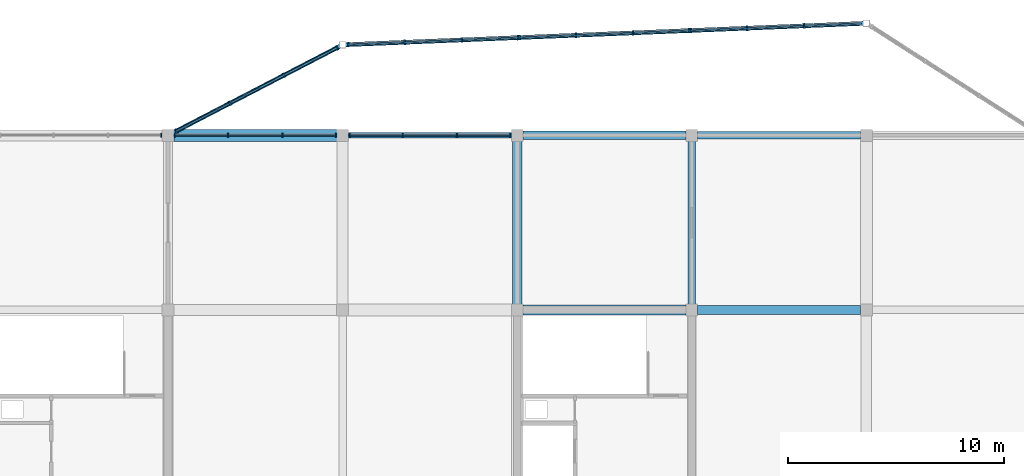
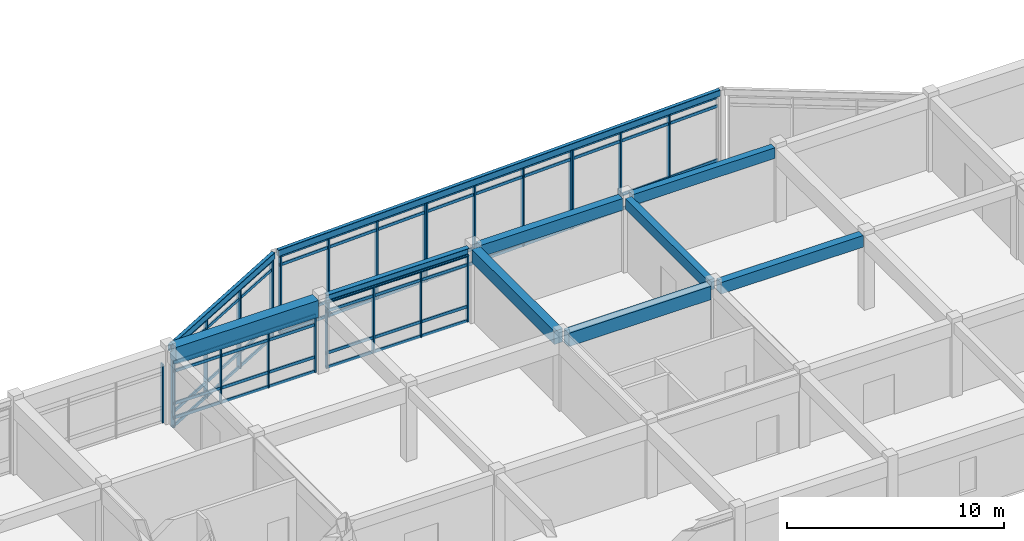
# One storey, part 11 of 40: 48 members, 10 beams, 7 elements without a shape of their own.
"""IFC4 building model written with IfcOpenShell, lengths in metres."""

import ifcopenshell
import ifcopenshell.guid

model = None  # the IFC model being written
_history = None  # IfcOwnerHistory: only IFC2X3 demands one
_inside = {}  # id of a spatial element -> (the spatial element, [elements in it])
_under = {}  # id of a project, library or spatial element -> (it, [spatial elements below it])
_declared = {}  # id of a project -> (the project, [libraries it declares])
_typed = {}  # id of a type object -> (the type object, [elements of that type])
_made_of = {}  # id of a material, layer set ... -> (it, [elements and type objects made of it])


def new_model(schema):
    """Start an empty IFC model of exactly this schema.

    Asked for "IFC4X3", IfcOpenShell would pick the latest addendum, in which some entities
    have other attributes; the version numbers below select the first issue.
    IFC2X3 requires an IfcOwnerHistory on every rooted entity: one is made here for all.
    """
    global model, _history
    if schema == "IFC4X3":
        model = ifcopenshell.file(schema_version=(4, 3, 0, 0))
    else:
        model = ifcopenshell.file(schema=schema)
    _inside.clear()
    _under.clear()
    _declared.clear()
    _typed.clear()
    _made_of.clear()
    _history = None
    if model.schema == "IFC2X3":
        org = make("IfcOrganization", Name="unknown")
        user = make(
            "IfcPersonAndOrganization",
            ThePerson=make("IfcPerson", FamilyName="unknown"),
            TheOrganization=org,
        )
        app = make(
            "IfcApplication",
            ApplicationDeveloper=org,
            Version="unknown",
            ApplicationFullName="unknown",
            ApplicationIdentifier="unknown",
        )
        _history = make(
            "IfcOwnerHistory",
            OwningUser=user,
            OwningApplication=app,
            ChangeAction="ADDED",
            CreationDate=0,
        )
    return model


def make(cls, **values):
    """One entity of the class cls with the attributes given. An attribute that is None is left unset."""
    return model.create_entity(
        cls, **{name: value for name, value in values.items() if value is not None}
    )


def rooted(cls, **values):
    """An entity with a GlobalId (a new one), such as an element, a storey or a relation."""
    return make(cls, GlobalId=ifcopenshell.guid.new(), OwnerHistory=_history, **values)


def si_unit(unit_type, name, prefix=None):
    """IfcSIUnit, for example si_unit("LENGTHUNIT", "METRE", prefix="MILLI")."""
    return make("IfcSIUnit", UnitType=unit_type, Prefix=prefix, Name=name)


def assignment(units):
    """IfcUnitAssignment: the units of a project."""
    return None if units is None else make("IfcUnitAssignment", Units=units)


def point(xyz):
    """IfcCartesianPoint."""
    return None if xyz is None else make("IfcCartesianPoint", Coordinates=xyz)


def direction(xyz):
    """IfcDirection."""
    return None if xyz is None else make("IfcDirection", DirectionRatios=xyz)


def frame(location, z_axis=None, x_axis=None):
    """IfcAxis2Placement3D, a coordinate frame: its origin and axes. An axis left out is left unset."""
    return make(
        "IfcAxis2Placement3D",
        Location=point(location),
        Axis=direction(z_axis),
        RefDirection=direction(x_axis),
    )


def frame_2d(location, x_axis=None):
    """IfcAxis2Placement2D, a coordinate frame in the plane: its origin and x axis."""
    return make(
        "IfcAxis2Placement2D", Location=point(location), RefDirection=direction(x_axis)
    )


def origin():
    """The frame at (0, 0, 0) with its axes left unset."""
    return frame((0.0, 0.0, 0.0))


def origin_2d():
    """The frame at (0, 0) in the plane with its x axis left unset."""
    return frame_2d((0.0, 0.0))


def place(relative_to, where):
    """IfcLocalPlacement: puts the frame where relative to a parent placement (None: the world)."""
    return make(
        "IfcLocalPlacement", PlacementRelTo=relative_to, RelativePlacement=where
    )


def context(
    kind, dimensions, precision=None, world=None, true_north=None, identifier=None
):
    """IfcGeometricRepresentationContext, for example the 3D "Model" context."""
    return make(
        "IfcGeometricRepresentationContext",
        ContextIdentifier=identifier,
        ContextType=kind,
        CoordinateSpaceDimension=dimensions,
        Precision=precision,
        WorldCoordinateSystem=world,
        TrueNorth=true_north,
    )


def subcontext(parent, identifier, kind, view, scale=None):
    """IfcGeometricRepresentationSubContext, for example "Body" below "Model"."""
    return make(
        "IfcGeometricRepresentationSubContext",
        ContextIdentifier=identifier,
        ContextType=kind,
        ParentContext=parent,
        TargetScale=scale,
        TargetView=view,
    )


def project(units=None, contexts=None):
    """IfcProject with its units and contexts."""
    return rooted(
        "IfcProject",
        Name="project",
        RepresentationContexts=contexts,
        UnitsInContext=assignment(units),
    )


def spatial(cls, under=None, at=None, **own):
    """A site, building, storey or space (cls), placed at a placement, below another one or the project."""
    s = rooted(cls, ObjectPlacement=at, **own)
    if under is not None:
        _under.setdefault(under.id(), (under, []))[1].append(s)
    return s


def profile(cls, at=None, kind="AREA", **sizes):
    """A parametric profile (cls). Its sizes go by their IFC names, for example OverallWidth=200.0."""
    return make(cls, ProfileType=kind, Position=at, **sizes)


def rectangle(**sizes):
    """IfcRectangleProfileDef."""
    return profile("IfcRectangleProfileDef", **sizes)


def hollow_rectangle(**sizes):
    """IfcRectangleHollowProfileDef."""
    return profile("IfcRectangleHollowProfileDef", **sizes)


def i_section(**sizes):
    """IfcIShapeProfileDef."""
    return profile("IfcIShapeProfileDef", **sizes)


def extrude(swept, where, along, depth):
    """IfcExtrudedAreaSolid: the profile swept, set in the frame where, extruded along a direction by depth."""
    return make(
        "IfcExtrudedAreaSolid",
        SweptArea=swept,
        Position=where,
        ExtrudedDirection=direction(along),
        Depth=depth,
    )


def shape(context_of_items, identifier, shape_type, items):
    """IfcShapeRepresentation: the items that make up one representation, for example the "Body"."""
    return make(
        "IfcShapeRepresentation",
        ContextOfItems=context_of_items,
        RepresentationIdentifier=identifier,
        RepresentationType=shape_type,
        Items=items,
    )


def material(Name=None, Category=None):
    """IfcMaterial."""
    return make("IfcMaterial", Name=Name, Category=Category)


def layer(
    of_material, thickness, ventilated=None, Name=None, Category=None, Priority=None
):
    """IfcMaterialLayer: one layer of a wall or slab, of a material (None: an air gap)."""
    return make(
        "IfcMaterialLayer",
        Material=of_material,
        LayerThickness=thickness,
        IsVentilated=ventilated,
        Name=Name,
        Category=Category,
        Priority=Priority,
    )


def layer_set(layers, Name=None):
    """IfcMaterialLayerSet."""
    return make("IfcMaterialLayerSet", MaterialLayers=layers, LayerSetName=Name)


def material_profile(
    of_material, cross_section, Name=None, Category=None, Priority=None
):
    """IfcMaterialProfile: a cross section and its material."""
    return make(
        "IfcMaterialProfile",
        Name=Name,
        Material=of_material,
        Profile=cross_section,
        Priority=Priority,
        Category=Category,
    )


def profile_set(profiles, Name=None, composite=None):
    """IfcMaterialProfileSet."""
    return make(
        "IfcMaterialProfileSet",
        Name=Name,
        MaterialProfiles=profiles,
        CompositeProfile=composite,
    )


def made_of(thing, what):
    """Note that an element or type object is made of a material, layer set ...; save() writes the relation."""
    if what is not None:
        _made_of.setdefault(what.id(), (what, []))[1].append(thing)
    return thing


def type_object(cls, material=None, **own):
    """A type object (cls), such as IfcWallType, which elements share."""
    return made_of(rooted(cls, **own), material)


def element(
    cls,
    number,
    at=None,
    inside=None,
    cuts=None,
    type_object=None,
    material=None,
    context=None,
    identifier="Body",
    shape_type=None,
    held_by="IfcProductDefinitionShape",
    body=None,
    shapes=None,
    **own,
):
    """One element of the class cls, such as IfcWall. Its Tag is "e" and its number.

    at: its placement. inside: the storey or other place that contains it. cuts: it is an
    opening in that element (IfcRelVoidsElement). A single representation is given by context,
    identifier, shape_type and body (its items); several are given by shapes. held_by: the class
    of the entity that holds the representations. save() writes the other relations.
    """
    e = rooted(cls, Tag="e%d" % number, ObjectPlacement=at, **own)
    if body is not None:
        shapes = [shape(context, identifier, shape_type, body)]
    if shapes is not None:
        e.Representation = make(held_by, Representations=shapes)
    if inside is not None:
        _inside.setdefault(inside.id(), (inside, []))[1].append(e)
    if cuts is not None:
        rooted(
            "IfcRelVoidsElement", RelatingBuildingElement=cuts, RelatedOpeningElement=e
        )
    if type_object is not None:
        _typed.setdefault(type_object.id(), (type_object, []))[1].append(e)
    return made_of(e, material)


def aggregate(whole, parts):
    """IfcRelAggregates: a whole, such as a stair, and the parts it consists of."""
    return rooted("IfcRelAggregates", RelatingObject=whole, RelatedObjects=parts)


def save(model, path):
    """Write the relations noted so far, then the file.

    IfcRelAggregates (storeys below a building ...), IfcRelContainedInSpatialStructure (elements
    in a storey), IfcRelDefinesByType, IfcRelAssociatesMaterial and IfcRelDeclares: one each for
    every whole, place, type object, material and project.
    """
    for whole, parts in _under.values():
        aggregate(whole, parts)
    for where, things in _inside.values():
        rooted(
            "IfcRelContainedInSpatialStructure",
            RelatedElements=things,
            RelatingStructure=where,
        )
    for kind, things in _typed.values():
        rooted("IfcRelDefinesByType", RelatedObjects=things, RelatingType=kind)
    for what, things in _made_of.values():
        rooted("IfcRelAssociatesMaterial", RelatedObjects=things, RelatingMaterial=what)
    for by, libraries in _declared.values():
        rooted("IfcRelDeclares", RelatingContext=by, RelatedDefinitions=libraries)
    model.write(path)


model = new_model("IFC4")

# Units and contexts
model_context = context("Model", 3, precision=1e-05, world=origin(), true_north=direction((0.0, 1.0)))
body_context = subcontext(model_context, "Body", "Model", "MODEL_VIEW")
ifc_project = project(units=[si_unit("LENGTHUNIT", "METRE"), si_unit("AREAUNIT", "SQUARE_METRE"), si_unit("VOLUMEUNIT", "CUBIC_METRE"), si_unit("PLANEANGLEUNIT", "RADIAN"), si_unit("MASSUNIT", "GRAM", prefix="KILO")], contexts=[model_context])

# Site, building, storey
site_placement = place(None, origin())
site = spatial("IfcSite", under=ifc_project, at=site_placement, CompositionType="ELEMENT")
building_placement = place(site_placement, origin())
building = spatial("IfcBuilding", under=site, at=building_placement, Name="Vaudrelin Polytechnic", CompositionType="ELEMENT")
storey_placement = place(building_placement, frame((0.0, 0.0, 22.949951171875)))
storey = spatial("IfcBuildingStorey", under=building, at=storey_placement, Name="L05", CompositionType="ELEMENT", Elevation=22.949951171875)

# Beams
ifc_material_1 = material(Name="Concrete 40 MPa", Category="concrete")
ifc_material_profile_1 = material_profile(ifc_material_1, rectangle(XDim=0.35009765625, YDim=0.60009765625, at=origin_2d()), Name="RC350x600")
ifc_profile_set_1 = profile_set([ifc_material_profile_1], Name="Concrete 40 MPa")
beam_type_1 = type_object("IfcBeamType", Name="BM-BM-RC3560", PredefinedType="BEAM", material=ifc_profile_set_1)
beam_1_placement = place(storey_placement, frame((89.10009765625, 113.659912109375, 3.860107421875), z_axis=(0.0, 1.0, 0.0), x_axis=(-1.0, 0.0, 0.0)))
element("IfcBeam", 1, at=beam_1_placement, inside=storey, type_object=beam_type_1, Name="L05 Y-beam 12-15", PredefinedType="BEAM", context=body_context, shape_type="SweptSolid", body=[
    extrude(rectangle(XDim=0.35009765625, YDim=0.60009765625, at=origin_2d()), origin(), (0.0, 0.0, 1.0), 7.580078125),
])
beam_2_placement = place(storey_placement, frame((89.37109375, 121.5, 3.860107421875), z_axis=(1.0, 0.0, 0.0), x_axis=(0.0, 1.0, 0.0)))
element("IfcBeam", 2, at=beam_2_placement, inside=storey, type_object=beam_type_1, Name="L05 X-beam 12-16", PredefinedType="BEAM", context=body_context, shape_type="SweptSolid", body=[
    extrude(rectangle(XDim=0.35009765625, YDim=0.60009765625, at=origin_2d()), origin(), (0.0, 0.0, 1.0), 7.557861328125),
])
ifc_material_profile_2 = material_profile(ifc_material_1, rectangle(XDim=0.39990234375, YDim=0.64990234375, at=origin_2d()), Name="RC400x650")
ifc_profile_set_2 = profile_set([ifc_material_profile_2], Name="Concrete 40 MPa")
beam_type_2 = type_object("IfcBeamType", Name="BM-BM-RC4065", PredefinedType="BEAM", material=ifc_profile_set_2)
beam_3_placement = place(storey_placement, frame((81.27099609375, 121.5, 3.8349609375), z_axis=(1.0, 0.0, 0.0), x_axis=(0.0, 1.0, 0.0)))
element("IfcBeam", 3, at=beam_3_placement, inside=storey, type_object=beam_type_2, Name="L05 X-beam 11-16", PredefinedType="BEAM", context=body_context, shape_type="SweptSolid", body=[
    extrude(rectangle(XDim=0.39990234375, YDim=0.64990234375, at=origin_2d()), origin(), (0.0, 0.0, 1.0), 7.55810546875),
])
beam_4_placement = place(storey_placement, frame((89.37109375, 113.39990234375, 3.8349609375), z_axis=(1.0, 0.0, 0.0), x_axis=(0.0, 1.0, 0.0)))
element("IfcBeam", 4, at=beam_4_placement, inside=storey, type_object=beam_type_2, Name="L05 X-beam 12-15", PredefinedType="BEAM", context=body_context, shape_type="SweptSolid", body=[
    extrude(rectangle(XDim=0.39990234375, YDim=0.64990234375, at=origin_2d()), origin(), (0.0, 0.0, 1.0), 7.557861328125),
])
ifc_material_profile_3 = material_profile(ifc_material_1, rectangle(XDim=0.449951171875, YDim=0.75, at=origin_2d()), Name="RC450x750")
ifc_profile_set_3 = profile_set([ifc_material_profile_3], Name="Concrete 40 MPa")
beam_type_3 = type_object("IfcBeamType", Name="BM-BM-RC4575", PredefinedType="BEAM", material=ifc_profile_set_3)
beam_5_placement = place(storey_placement, frame((81.0, 113.659912109375, 3.78515625), z_axis=(0.0, 1.0, 0.0), x_axis=(-1.0, 0.0, 0.0)))
element("IfcBeam", 5, at=beam_5_placement, inside=storey, type_object=beam_type_3, Name="L05 Y-beam 11-15", PredefinedType="BEAM", context=body_context, shape_type="SweptSolid", body=[
    extrude(rectangle(XDim=0.449951171875, YDim=0.75, at=origin_2d()), origin(), (0.0, 0.0, 1.0), 7.580078125),
])
beam_6_placement = place(storey_placement, frame((81.27099609375, 113.39990234375, 3.78515625), z_axis=(1.0, 0.0, 0.0), x_axis=(0.0, 1.0, 0.0)))
element("IfcBeam", 6, at=beam_6_placement, inside=storey, type_object=beam_type_3, Name="L05 X-beam 11-15", PredefinedType="BEAM", context=body_context, shape_type="SweptSolid", body=[
    extrude(rectangle(XDim=0.449951171875, YDim=0.75, at=origin_2d()), origin(), (0.0, 0.0, 1.0), 7.55810546875),
])
ifc_material_2 = material(Name="Concrete 50 MPa", Category="concrete")
ifc_material_profile_4 = material_profile(ifc_material_2, rectangle(XDim=0.550048828125, YDim=0.949951171875, at=origin_2d()), Name="RC550x950")
ifc_profile_set_4 = profile_set([ifc_material_profile_4], Name="Concrete 50 MPa")
beam_type_4 = type_object("IfcBeamType", Name="BM-BM-RC5595", PredefinedType="BEAM", material=ifc_profile_set_4)
beam_7_placement = place(storey_placement, frame((65.071044921875, 121.5, 3.68505859375), z_axis=(1.0, 0.0, 0.0), x_axis=(0.0, 1.0, 0.0)))
element("IfcBeam", 7, at=beam_7_placement, inside=storey, type_object=beam_type_4, Name="L05 X-beam 9-16", PredefinedType="BEAM", context=body_context, shape_type="SweptSolid", body=[
    extrude(rectangle(XDim=0.550048828125, YDim=0.949951171875, at=origin_2d()), origin(), (0.0, 0.0, 1.0), 7.557861328125),
])
ifc_material_3 = material(Name="Steel CSA G40.21 350WT", Category="steel")
ifc_material_profile_5 = material_profile(ifc_material_3, i_section(OverallWidth=0.260009765625, OverallDepth=0.4150390625, WebThickness=0.010009765625, FlangeThickness=0.016845703125, FilletRadius=0.01611328125, at=origin_2d()), Name="W410x100")
ifc_profile_set_5 = profile_set([ifc_material_profile_5], Name="Steel CSA G40.21 350WT")
beam_type_5 = type_object("IfcBeamType", Name="BM-BM-W410H", PredefinedType="SPANDREL", material=ifc_profile_set_5)
beam_8_placement = place(storey_placement, frame((73.1708984375, 121.5, 3.95263671875), z_axis=(1.0, 0.0, 0.0), x_axis=(0.0, 1.0, 0.0)))
element("IfcBeam", 8, at=beam_8_placement, inside=storey, type_object=beam_type_5, Name="L05 X-beam 10-16", PredefinedType="SPANDREL", context=body_context, shape_type="SweptSolid", body=[
    extrude(i_section(OverallWidth=0.260009765625, OverallDepth=0.4150390625, WebThickness=0.010009765625, FlangeThickness=0.016845703125, FilletRadius=0.01611328125, at=origin_2d()), origin(), (0.0, 0.0, 1.0), 7.55810546875),
])
ifc_material_profile_6 = material_profile(ifc_material_3, hollow_rectangle(XDim=0.202880859375, YDim=0.35595703125, WallThickness=0.0126953125, InnerFilletRadius=0.0126953125, OuterFilletRadius=0.025390625, at=origin_2d()), Name="HSS356x203x12.7")
ifc_profile_set_6 = profile_set([ifc_material_profile_6], Name="Steel CSA G40.21 350WT")
beam_type_6 = type_object("IfcBeamType", Name="BM-SP-HSS35", PredefinedType="SPANDREL", material=ifc_profile_set_6)
beam_9_placement = place(storey_placement, frame((64.92431640625, 121.564453125, 3.98193359375), z_axis=(0.887754949257, 0.460316358682, 0.0), x_axis=(-0.460316358682, 0.887754949257, 0.0)))
element("IfcBeam", 9, at=beam_9_placement, inside=storey, type_object=beam_type_6, Name="Sculptural edge beam L05 N_OR2_B1", PredefinedType="SPANDREL", context=body_context, shape_type="SweptSolid", body=[
    extrude(hollow_rectangle(XDim=0.202880859375, YDim=0.35595703125, WallThickness=0.0126953125, InnerFilletRadius=0.0126953125, OuterFilletRadius=0.025390625, at=origin_2d()), origin(), (0.0, 0.0, 1.0), 8.843994140625),
])
beam_10_placement = place(storey_placement, frame((73.039794921875, 125.705810546875, 3.98193359375), z_axis=(0.99915467323, 0.0411088672, 0.0), x_axis=(-0.0411088672, 0.99915467323, 0.0)))
element("IfcBeam", 10, at=beam_10_placement, inside=storey, type_object=beam_type_6, Name="Sculptural edge beam L05 N_OR2_B2", PredefinedType="SPANDREL", context=body_context, shape_type="SweptSolid", body=[
    extrude(hollow_rectangle(XDim=0.202880859375, YDim=0.35595703125, WallThickness=0.0126953125, InnerFilletRadius=0.0126953125, OuterFilletRadius=0.025390625, at=origin_2d()), origin(), (0.0, 0.0, 1.0), 24.04052734375),
])

# Curtain wall, member
ifc_material_4 = material(Name="Thermally broken anodised aluminium AA 6063-T6 and low-e triple glazing", Category="aluminium")
ifc_layer = layer(ifc_material_4, 0.199951171875)
ifc_layer_set = layer_set([ifc_layer], Name="Thermally broken anodised aluminium AA 6063-T6 and low-e triple glazing")
curtain_wall_type = type_object("IfcCurtainWallType", Name="CW-CW-STU", PredefinedType="USERDEFINED", material=ifc_layer_set)
curtain_wall_1_placement = place(storey_placement, origin())
curtain_wall_1 = element("IfcCurtainWall", 11, at=curtain_wall_1_placement, inside=storey, type_object=curtain_wall_type, Name="Curtain wall L05 N_V5_05", ObjectType="CURTAIN WALL", PredefinedType="USERDEFINED")
ifc_material_5 = material(Name="Anodised aluminium AA 6063-T6", Category="aluminium")
ifc_material_profile_7 = material_profile(ifc_material_5, rectangle(XDim=0.06494140625, YDim=0.179931640625, at=origin_2d()), Name="CWM-65x180")
ifc_profile_set_7 = profile_set([ifc_material_profile_7], Name="Anodised aluminium AA 6063-T6")
member_type_1 = type_object("IfcMemberType", Name="MEM-CWM-180", PredefinedType="MULLION", material=ifc_profile_set_7)
member_1_placement = place(storey_placement, frame((64.487060546875, 121.5, 0.0), z_axis=(0.0, 0.0, 1.0), x_axis=(1.0, 0.0, 0.0)))
member_1 = element("IfcMember", 12, at=member_1_placement, type_object=member_type_1, Name="N_V5_05 mullion 4", PredefinedType="MULLION", context=body_context, shape_type="SweptSolid", body=[
    extrude(rectangle(XDim=0.06494140625, YDim=0.179931640625, at=origin_2d()), origin(), (0.0, 0.0, 1.0), 3.31201171875),
])
aggregate(curtain_wall_1, [member_1])

# Curtain wall, members
curtain_wall_2_placement = place(storey_placement, origin())
curtain_wall_2 = element("IfcCurtainWall", 13, at=curtain_wall_2_placement, inside=storey, type_object=curtain_wall_type, Name="Curtain wall L05 N_V5_06", ObjectType="CURTAIN WALL", PredefinedType="USERDEFINED")
member_2_placement = place(storey_placement, frame((65.113037109375, 121.5, 0.0), z_axis=(0.0, 0.0, 1.0), x_axis=(1.0, 0.0, 0.0)))
member_2 = element("IfcMember", 14, at=member_2_placement, type_object=member_type_1, Name="N_V5_06 mullion 1", PredefinedType="MULLION", context=body_context, shape_type="SweptSolid", body=[
    extrude(rectangle(XDim=0.06494140625, YDim=0.179931640625, at=origin_2d()), origin(), (0.0, 0.0, 1.0), 3.212158203125),
])
member_3_placement = place(storey_placement, frame((67.591064453125, 121.5, 0.0), z_axis=(0.0, 0.0, 1.0), x_axis=(1.0, 0.0, 0.0)))
member_3 = element("IfcMember", 15, at=member_3_placement, type_object=member_type_1, Name="N_V5_06 mullion 2", PredefinedType="MULLION", context=body_context, shape_type="SweptSolid", body=[
    extrude(rectangle(XDim=0.06494140625, YDim=0.179931640625, at=origin_2d()), origin(), (0.0, 0.0, 1.0), 3.212158203125),
])
member_4_placement = place(storey_placement, frame((70.10888671875, 121.5, 0.0), z_axis=(0.0, 0.0, 1.0), x_axis=(1.0, 0.0, 0.0)))
member_4 = element("IfcMember", 16, at=member_4_placement, type_object=member_type_1, Name="N_V5_06 mullion 3", PredefinedType="MULLION", context=body_context, shape_type="SweptSolid", body=[
    extrude(rectangle(XDim=0.06494140625, YDim=0.179931640625, at=origin_2d()), origin(), (0.0, 0.0, 1.0), 3.212158203125),
])
member_5_placement = place(storey_placement, frame((72.5869140625, 121.5, 0.0), z_axis=(0.0, 0.0, 1.0), x_axis=(1.0, 0.0, 0.0)))
member_5 = element("IfcMember", 17, at=member_5_placement, type_object=member_type_1, Name="N_V5_06 mullion 4", PredefinedType="MULLION", context=body_context, shape_type="SweptSolid", body=[
    extrude(rectangle(XDim=0.06494140625, YDim=0.179931640625, at=origin_2d()), origin(), (0.0, 0.0, 1.0), 3.212158203125),
])

curtain_wall_3_placement = place(storey_placement, origin())
curtain_wall_3 = element("IfcCurtainWall", 18, at=curtain_wall_3_placement, inside=storey, type_object=curtain_wall_type, Name="Curtain wall L05 N_V5_07", ObjectType="CURTAIN WALL", PredefinedType="USERDEFINED")
member_6_placement = place(storey_placement, frame((73.212890625, 121.5, 0.0), z_axis=(0.0, 0.0, 1.0), x_axis=(1.0, 0.0, 0.0)))
member_6 = element("IfcMember", 19, at=member_6_placement, type_object=member_type_1, Name="N_V5_07 mullion 1", PredefinedType="MULLION", context=body_context, shape_type="SweptSolid", body=[
    extrude(rectangle(XDim=0.06494140625, YDim=0.179931640625, at=origin_2d()), origin(), (0.0, 0.0, 1.0), 3.7470703125),
])
member_7_placement = place(storey_placement, frame((75.69091796875, 121.5, 0.0), z_axis=(0.0, 0.0, 1.0), x_axis=(1.0, 0.0, 0.0)))
member_7 = element("IfcMember", 20, at=member_7_placement, type_object=member_type_1, Name="N_V5_07 mullion 2", PredefinedType="MULLION", context=body_context, shape_type="SweptSolid", body=[
    extrude(rectangle(XDim=0.06494140625, YDim=0.179931640625, at=origin_2d()), origin(), (0.0, 0.0, 1.0), 3.7470703125),
])
member_8_placement = place(storey_placement, frame((78.208984375, 121.5, 0.0), z_axis=(0.0, 0.0, 1.0), x_axis=(1.0, 0.0, 0.0)))
member_8 = element("IfcMember", 21, at=member_8_placement, type_object=member_type_1, Name="N_V5_07 mullion 3", PredefinedType="MULLION", context=body_context, shape_type="SweptSolid", body=[
    extrude(rectangle(XDim=0.06494140625, YDim=0.179931640625, at=origin_2d()), origin(), (0.0, 0.0, 1.0), 3.7470703125),
])
member_9_placement = place(storey_placement, frame((80.68701171875, 121.5, 0.0), z_axis=(0.0, 0.0, 1.0), x_axis=(1.0, 0.0, 0.0)))
member_9 = element("IfcMember", 22, at=member_9_placement, type_object=member_type_1, Name="N_V5_07 mullion 4", PredefinedType="MULLION", context=body_context, shape_type="SweptSolid", body=[
    extrude(rectangle(XDim=0.06494140625, YDim=0.179931640625, at=origin_2d()), origin(), (0.0, 0.0, 1.0), 3.7470703125),
])

curtain_wall_4_placement = place(storey_placement, origin())
curtain_wall_4 = element("IfcCurtainWall", 23, at=curtain_wall_4_placement, inside=storey, type_object=curtain_wall_type, Name="Curtain wall L05 N_OR2_1_0", ObjectType="CURTAIN WALL", PredefinedType="USERDEFINED")
ifc_material_profile_8 = material_profile(ifc_material_5, rectangle(XDim=0.074951171875, YDim=0.219970703125, at=origin_2d()), Name="CWM-75x220")
ifc_profile_set_8 = profile_set([ifc_material_profile_8], Name="Anodised aluminium AA 6063-T6")
member_type_2 = type_object("IfcMemberType", Name="MEM-CWM-220", PredefinedType="MULLION", material=ifc_profile_set_8)
member_10_placement = place(storey_placement, frame((65.18603515625, 121.7001953125, -0.6298828125), z_axis=(0.0, 0.0, 1.0), x_axis=(0.887751494589, 0.460323021208, 0.0)))
member_10 = element("IfcMember", 24, at=member_10_placement, type_object=member_type_2, Name="N_OR2_1_0 mullion 1", PredefinedType="MULLION", context=body_context, shape_type="SweptSolid", body=[
    extrude(rectangle(XDim=0.074951171875, YDim=0.219970703125, at=origin_2d()), origin(), (0.0, 0.0, 1.0), 4.43994140625),
])
member_11_placement = place(storey_placement, frame((67.65771484375, 122.981689453125, -0.6298828125), z_axis=(0.0, 0.0, 1.0), x_axis=(0.887751494589, 0.460323021208, 0.0)))
member_11 = element("IfcMember", 25, at=member_11_placement, type_object=member_type_2, Name="N_OR2_1_0 mullion 2", PredefinedType="MULLION", context=body_context, shape_type="SweptSolid", body=[
    extrude(rectangle(XDim=0.074951171875, YDim=0.219970703125, at=origin_2d()), origin(), (0.0, 0.0, 1.0), 4.43994140625),
])
member_12_placement = place(storey_placement, frame((70.164794921875, 124.28173828125, -0.6298828125), z_axis=(0.0, 0.0, 1.0), x_axis=(0.887751494589, 0.460323021208, 0.0)))
member_12 = element("IfcMember", 26, at=member_12_placement, type_object=member_type_2, Name="N_OR2_1_0 mullion 3", PredefinedType="MULLION", context=body_context, shape_type="SweptSolid", body=[
    extrude(rectangle(XDim=0.074951171875, YDim=0.219970703125, at=origin_2d()), origin(), (0.0, 0.0, 1.0), 4.43994140625),
])
member_13_placement = place(storey_placement, frame((72.636474609375, 125.5634765625, -0.6298828125), z_axis=(0.0, 0.0, 1.0), x_axis=(0.887751494589, 0.460323021208, 0.0)))
member_13 = element("IfcMember", 27, at=member_13_placement, type_object=member_type_2, Name="N_OR2_1_0 mullion 4", PredefinedType="MULLION", context=body_context, shape_type="SweptSolid", body=[
    extrude(rectangle(XDim=0.074951171875, YDim=0.219970703125, at=origin_2d()), origin(), (0.0, 0.0, 1.0), 4.43994140625),
])

curtain_wall_5_placement = place(storey_placement, origin())
curtain_wall_5 = element("IfcCurtainWall", 28, at=curtain_wall_5_placement, inside=storey, type_object=curtain_wall_type, Name="Curtain wall L05 N_OR2_2_0", ObjectType="CURTAIN WALL", PredefinedType="USERDEFINED")
member_14_placement = place(storey_placement, frame((73.177490234375, 125.71142578125, -0.6298828125), z_axis=(0.0, 0.0, 1.0), x_axis=(0.999154417424, 0.041115084128, 0.0)))
member_14 = element("IfcMember", 29, at=member_14_placement, type_object=member_type_2, Name="N_OR2_2_0 mullion 1", PredefinedType="MULLION", context=body_context, shape_type="SweptSolid", body=[
    extrude(rectangle(XDim=0.074951171875, YDim=0.219970703125, at=origin_2d()), origin(), (0.0, 0.0, 1.0), 4.43994140625),
])
member_15_placement = place(storey_placement, frame((75.78466796875, 125.818603515625, -0.6298828125), z_axis=(0.0, 0.0, 1.0), x_axis=(0.999154417424, 0.041115084128, 0.0)))
member_15 = element("IfcMember", 30, at=member_15_placement, type_object=member_type_2, Name="N_OR2_2_0 mullion 2", PredefinedType="MULLION", context=body_context, shape_type="SweptSolid", body=[
    extrude(rectangle(XDim=0.074951171875, YDim=0.219970703125, at=origin_2d()), origin(), (0.0, 0.0, 1.0), 4.43994140625),
])
member_16_placement = place(storey_placement, frame((78.431884765625, 125.927734375, -0.6298828125), z_axis=(0.0, 0.0, 1.0), x_axis=(0.999154417424, 0.041115084128, 0.0)))
member_16 = element("IfcMember", 31, at=member_16_placement, type_object=member_type_2, Name="N_OR2_2_0 mullion 3", PredefinedType="MULLION", context=body_context, shape_type="SweptSolid", body=[
    extrude(rectangle(XDim=0.074951171875, YDim=0.219970703125, at=origin_2d()), origin(), (0.0, 0.0, 1.0), 4.43994140625),
])
member_17_placement = place(storey_placement, frame((81.0390625, 126.034912109375, -0.6298828125), z_axis=(0.0, 0.0, 1.0), x_axis=(0.999154417424, 0.041115084128, 0.0)))
member_17 = element("IfcMember", 32, at=member_17_placement, type_object=member_type_2, Name="N_OR2_2_0 mullion 4", PredefinedType="MULLION", context=body_context, shape_type="SweptSolid", body=[
    extrude(rectangle(XDim=0.074951171875, YDim=0.219970703125, at=origin_2d()), origin(), (0.0, 0.0, 1.0), 4.43994140625),
])

curtain_wall_6_placement = place(storey_placement, origin())
curtain_wall_6 = element("IfcCurtainWall", 33, at=curtain_wall_6_placement, inside=storey, type_object=curtain_wall_type, Name="Curtain wall L05 N_OR2_2_1", ObjectType="CURTAIN WALL", PredefinedType="USERDEFINED")
member_18_placement = place(storey_placement, frame((81.119140625, 126.0380859375, -0.6298828125), z_axis=(0.0, 0.0, 1.0), x_axis=(0.999154438691, 0.041114567302, 0.0)))
member_18 = element("IfcMember", 34, at=member_18_placement, type_object=member_type_2, Name="N_OR2_2_1 mullion 1", PredefinedType="MULLION", context=body_context, shape_type="SweptSolid", body=[
    extrude(rectangle(XDim=0.074951171875, YDim=0.219970703125, at=origin_2d()), origin(), (0.0, 0.0, 1.0), 4.43994140625),
])
member_19_placement = place(storey_placement, frame((83.726318359375, 126.1455078125, -0.6298828125), z_axis=(0.0, 0.0, 1.0), x_axis=(0.999154438691, 0.041114567302, 0.0)))
member_19 = element("IfcMember", 35, at=member_19_placement, type_object=member_type_2, Name="N_OR2_2_1 mullion 2", PredefinedType="MULLION", context=body_context, shape_type="SweptSolid", body=[
    extrude(rectangle(XDim=0.074951171875, YDim=0.219970703125, at=origin_2d()), origin(), (0.0, 0.0, 1.0), 4.43994140625),
])
member_20_placement = place(storey_placement, frame((86.37353515625, 126.25439453125, -0.6298828125), z_axis=(0.0, 0.0, 1.0), x_axis=(0.999154438691, 0.041114567302, 0.0)))
member_20 = element("IfcMember", 36, at=member_20_placement, type_object=member_type_2, Name="N_OR2_2_1 mullion 3", PredefinedType="MULLION", context=body_context, shape_type="SweptSolid", body=[
    extrude(rectangle(XDim=0.074951171875, YDim=0.219970703125, at=origin_2d()), origin(), (0.0, 0.0, 1.0), 4.43994140625),
])
member_21_placement = place(storey_placement, frame((88.98095703125, 126.36181640625, -0.6298828125), z_axis=(0.0, 0.0, 1.0), x_axis=(0.999154438691, 0.041114567302, 0.0)))
member_21 = element("IfcMember", 37, at=member_21_placement, type_object=member_type_2, Name="N_OR2_2_1 mullion 4", PredefinedType="MULLION", context=body_context, shape_type="SweptSolid", body=[
    extrude(rectangle(XDim=0.074951171875, YDim=0.219970703125, at=origin_2d()), origin(), (0.0, 0.0, 1.0), 4.43994140625),
])

curtain_wall_7_placement = place(storey_placement, origin())
curtain_wall_7 = element("IfcCurtainWall", 38, at=curtain_wall_7_placement, inside=storey, type_object=curtain_wall_type, Name="Curtain wall L05 N_OR2_2_2", ObjectType="CURTAIN WALL", PredefinedType="USERDEFINED")
member_22_placement = place(storey_placement, frame((89.060791015625, 126.364990234375, -0.6298828125), z_axis=(0.0, 0.0, 1.0), x_axis=(0.999154417424, 0.041115084128, 0.0)))
member_22 = element("IfcMember", 39, at=member_22_placement, type_object=member_type_2, Name="N_OR2_2_2 mullion 1", PredefinedType="MULLION", context=body_context, shape_type="SweptSolid", body=[
    extrude(rectangle(XDim=0.074951171875, YDim=0.219970703125, at=origin_2d()), origin(), (0.0, 0.0, 1.0), 4.43994140625),
])
member_23_placement = place(storey_placement, frame((91.668212890625, 126.472412109375, -0.6298828125), z_axis=(0.0, 0.0, 1.0), x_axis=(0.999154417424, 0.041115084128, 0.0)))
member_23 = element("IfcMember", 40, at=member_23_placement, type_object=member_type_2, Name="N_OR2_2_2 mullion 2", PredefinedType="MULLION", context=body_context, shape_type="SweptSolid", body=[
    extrude(rectangle(XDim=0.074951171875, YDim=0.219970703125, at=origin_2d()), origin(), (0.0, 0.0, 1.0), 4.43994140625),
])
member_24_placement = place(storey_placement, frame((94.3154296875, 126.581298828125, -0.6298828125), z_axis=(0.0, 0.0, 1.0), x_axis=(0.999154417424, 0.041115084128, 0.0)))
member_24 = element("IfcMember", 41, at=member_24_placement, type_object=member_type_2, Name="N_OR2_2_2 mullion 3", PredefinedType="MULLION", context=body_context, shape_type="SweptSolid", body=[
    extrude(rectangle(XDim=0.074951171875, YDim=0.219970703125, at=origin_2d()), origin(), (0.0, 0.0, 1.0), 4.43994140625),
])

# Member
ifc_material_profile_9 = material_profile(ifc_material_5, rectangle(XDim=0.074951171875, YDim=0.1650390625, at=origin_2d()), Name="CWT-75x165")
ifc_profile_set_9 = profile_set([ifc_material_profile_9], Name="Anodised aluminium AA 6063-T6")
member_type_3 = type_object("IfcMemberType", Name="MEM-CWT-165", PredefinedType="USERDEFINED", material=ifc_profile_set_9)
member_25_placement = place(storey_placement, frame((65.072998046875, 121.5, 0.050048828125), z_axis=(1.0, 0.0, 0.0), x_axis=(0.0, 1.0, 0.0)))
member_25 = element("IfcMember", 42, at=member_25_placement, type_object=member_type_3, Name="N_V5_06 transom 1", ObjectType="TRANSOM", PredefinedType="USERDEFINED", context=body_context, shape_type="SweptSolid", body=[
    extrude(rectangle(XDim=0.074951171875, YDim=0.1650390625, at=origin_2d()), origin(), (0.0, 0.0, 1.0), 7.553955078125),
])

member_26_placement = place(storey_placement, frame((65.072998046875, 121.5, 0.85009765625), z_axis=(1.0, 0.0, 0.0), x_axis=(0.0, 1.0, 0.0)))
member_26 = element("IfcMember", 43, at=member_26_placement, type_object=member_type_3, Name="N_V5_06 transom 2", ObjectType="TRANSOM", PredefinedType="USERDEFINED", context=body_context, shape_type="SweptSolid", body=[
    extrude(rectangle(XDim=0.074951171875, YDim=0.1650390625, at=origin_2d()), origin(), (0.0, 0.0, 1.0), 7.553955078125),
])

member_27_placement = place(storey_placement, frame((65.072998046875, 121.5, 2.662109375), z_axis=(1.0, 0.0, 0.0), x_axis=(0.0, 1.0, 0.0)))
member_27 = element("IfcMember", 44, at=member_27_placement, type_object=member_type_3, Name="N_V5_06 transom 3", ObjectType="TRANSOM", PredefinedType="USERDEFINED", context=body_context, shape_type="SweptSolid", body=[
    extrude(rectangle(XDim=0.074951171875, YDim=0.1650390625, at=origin_2d()), origin(), (0.0, 0.0, 1.0), 7.553955078125),
])

member_28_placement = place(storey_placement, frame((65.072998046875, 121.5, 3.162109375), z_axis=(1.0, 0.0, 0.0), x_axis=(0.0, 1.0, 0.0)))
member_28 = element("IfcMember", 45, at=member_28_placement, type_object=member_type_3, Name="N_V5_06 transom 4", ObjectType="TRANSOM", PredefinedType="USERDEFINED", context=body_context, shape_type="SweptSolid", body=[
    extrude(rectangle(XDim=0.074951171875, YDim=0.1650390625, at=origin_2d()), origin(), (0.0, 0.0, 1.0), 7.553955078125),
])

aggregate(curtain_wall_2, [member_2, member_3, member_4, member_5, member_25, member_26, member_27, member_28])

member_29_placement = place(storey_placement, frame((73.173095703125, 121.5, 0.050048828125), z_axis=(1.0, 0.0, 0.0), x_axis=(0.0, 1.0, 0.0)))
member_29 = element("IfcMember", 46, at=member_29_placement, type_object=member_type_3, Name="N_V5_07 transom 1", ObjectType="TRANSOM", PredefinedType="USERDEFINED", context=body_context, shape_type="SweptSolid", body=[
    extrude(rectangle(XDim=0.074951171875, YDim=0.1650390625, at=origin_2d()), origin(), (0.0, 0.0, 1.0), 7.553955078125),
])

member_30_placement = place(storey_placement, frame((73.173095703125, 121.5, 0.85009765625), z_axis=(1.0, 0.0, 0.0), x_axis=(0.0, 1.0, 0.0)))
member_30 = element("IfcMember", 47, at=member_30_placement, type_object=member_type_3, Name="N_V5_07 transom 2", ObjectType="TRANSOM", PredefinedType="USERDEFINED", context=body_context, shape_type="SweptSolid", body=[
    extrude(rectangle(XDim=0.074951171875, YDim=0.1650390625, at=origin_2d()), origin(), (0.0, 0.0, 1.0), 7.553955078125),
])

member_31_placement = place(storey_placement, frame((73.173095703125, 121.5, 3.197021484375), z_axis=(1.0, 0.0, 0.0), x_axis=(0.0, 1.0, 0.0)))
member_31 = element("IfcMember", 48, at=member_31_placement, type_object=member_type_3, Name="N_V5_07 transom 3", ObjectType="TRANSOM", PredefinedType="USERDEFINED", context=body_context, shape_type="SweptSolid", body=[
    extrude(rectangle(XDim=0.074951171875, YDim=0.1650390625, at=origin_2d()), origin(), (0.0, 0.0, 1.0), 7.553955078125),
])

member_32_placement = place(storey_placement, frame((73.173095703125, 121.5, 3.697021484375), z_axis=(1.0, 0.0, 0.0), x_axis=(0.0, 1.0, 0.0)))
member_32 = element("IfcMember", 49, at=member_32_placement, type_object=member_type_3, Name="N_V5_07 transom 4", ObjectType="TRANSOM", PredefinedType="USERDEFINED", context=body_context, shape_type="SweptSolid", body=[
    extrude(rectangle(XDim=0.074951171875, YDim=0.1650390625, at=origin_2d()), origin(), (0.0, 0.0, 1.0), 7.553955078125),
])

aggregate(curtain_wall_3, [member_6, member_7, member_8, member_9, member_29, member_30, member_31, member_32])

member_33_placement = place(storey_placement, frame((65.150390625, 121.681640625, -0.579833984375), z_axis=(0.887754967564, 0.460316323374, 0.0), x_axis=(-0.460316323374, 0.887754967564, 0.0)))
member_33 = element("IfcMember", 50, at=member_33_placement, type_object=member_type_3, Name="N_OR2_1_0 transom 1", ObjectType="TRANSOM", PredefinedType="USERDEFINED", context=body_context, shape_type="SweptSolid", body=[
    extrude(rectangle(XDim=0.074951171875, YDim=0.1650390625, at=origin_2d()), origin(), (0.0, 0.0, 1.0), 8.47265625),
])

member_34_placement = place(storey_placement, frame((65.150390625, 121.681640625, 0.219970703125), z_axis=(0.887754967564, 0.460316323374, 0.0), x_axis=(-0.460316323374, 0.887754967564, 0.0)))
member_34 = element("IfcMember", 51, at=member_34_placement, type_object=member_type_3, Name="N_OR2_1_0 transom 2", ObjectType="TRANSOM", PredefinedType="USERDEFINED", context=body_context, shape_type="SweptSolid", body=[
    extrude(rectangle(XDim=0.074951171875, YDim=0.1650390625, at=origin_2d()), origin(), (0.0, 0.0, 1.0), 8.47265625),
])

member_35_placement = place(storey_placement, frame((65.150390625, 121.681640625, 3.260009765625), z_axis=(0.887754967564, 0.460316323374, 0.0), x_axis=(-0.460316323374, 0.887754967564, 0.0)))
member_35 = element("IfcMember", 52, at=member_35_placement, type_object=member_type_3, Name="N_OR2_1_0 transom 3", ObjectType="TRANSOM", PredefinedType="USERDEFINED", context=body_context, shape_type="SweptSolid", body=[
    extrude(rectangle(XDim=0.074951171875, YDim=0.1650390625, at=origin_2d()), origin(), (0.0, 0.0, 1.0), 8.47265625),
])

member_36_placement = place(storey_placement, frame((65.150390625, 121.681640625, 3.760009765625), z_axis=(0.887754967564, 0.460316323374, 0.0), x_axis=(-0.460316323374, 0.887754967564, 0.0)))
member_36 = element("IfcMember", 53, at=member_36_placement, type_object=member_type_3, Name="N_OR2_1_0 transom 4", ObjectType="TRANSOM", PredefinedType="USERDEFINED", context=body_context, shape_type="SweptSolid", body=[
    extrude(rectangle(XDim=0.074951171875, YDim=0.1650390625, at=origin_2d()), origin(), (0.0, 0.0, 1.0), 8.47265625),
])

aggregate(curtain_wall_4, [member_10, member_11, member_12, member_13, member_33, member_34, member_35, member_36])

member_37_placement = place(storey_placement, frame((73.137451171875, 125.709716796875, -0.579833984375), z_axis=(0.999153867736, 0.041128440127, 0.0), x_axis=(-0.041128440127, 0.999153867736, 0.0)))
member_37 = element("IfcMember", 54, at=member_37_placement, type_object=member_type_3, Name="N_OR2_2_0 transom 1", ObjectType="TRANSOM", PredefinedType="USERDEFINED", context=body_context, shape_type="SweptSolid", body=[
    extrude(rectangle(XDim=0.074951171875, YDim=0.1650390625, at=origin_2d()), origin(), (0.0, 0.0, 1.0), 7.948486328125),
])

member_38_placement = place(storey_placement, frame((73.137451171875, 125.709716796875, 0.219970703125), z_axis=(0.999153867736, 0.041128440127, 0.0), x_axis=(-0.041128440127, 0.999153867736, 0.0)))
member_38 = element("IfcMember", 55, at=member_38_placement, type_object=member_type_3, Name="N_OR2_2_0 transom 2", ObjectType="TRANSOM", PredefinedType="USERDEFINED", context=body_context, shape_type="SweptSolid", body=[
    extrude(rectangle(XDim=0.074951171875, YDim=0.1650390625, at=origin_2d()), origin(), (0.0, 0.0, 1.0), 7.948486328125),
])

member_39_placement = place(storey_placement, frame((73.137451171875, 125.709716796875, 3.260009765625), z_axis=(0.999153867736, 0.041128440127, 0.0), x_axis=(-0.041128440127, 0.999153867736, 0.0)))
member_39 = element("IfcMember", 56, at=member_39_placement, type_object=member_type_3, Name="N_OR2_2_0 transom 3", ObjectType="TRANSOM", PredefinedType="USERDEFINED", context=body_context, shape_type="SweptSolid", body=[
    extrude(rectangle(XDim=0.074951171875, YDim=0.1650390625, at=origin_2d()), origin(), (0.0, 0.0, 1.0), 7.948486328125),
])

member_40_placement = place(storey_placement, frame((73.137451171875, 125.709716796875, 3.760009765625), z_axis=(0.999153867736, 0.041128440127, 0.0), x_axis=(-0.041128440127, 0.999153867736, 0.0)))
member_40 = element("IfcMember", 57, at=member_40_placement, type_object=member_type_3, Name="N_OR2_2_0 transom 4", ObjectType="TRANSOM", PredefinedType="USERDEFINED", context=body_context, shape_type="SweptSolid", body=[
    extrude(rectangle(XDim=0.074951171875, YDim=0.1650390625, at=origin_2d()), origin(), (0.0, 0.0, 1.0), 7.948486328125),
])

aggregate(curtain_wall_5, [member_14, member_15, member_16, member_17, member_37, member_38, member_39, member_40])

member_41_placement = place(storey_placement, frame((81.0791015625, 126.03662109375, -0.579833984375), z_axis=(0.999155181369, 0.041096514991, 0.0), x_axis=(-0.041096514991, 0.999155181369, 0.0)))
member_41 = element("IfcMember", 58, at=member_41_placement, type_object=member_type_3, Name="N_OR2_2_1 transom 1", ObjectType="TRANSOM", PredefinedType="USERDEFINED", context=body_context, shape_type="SweptSolid", body=[
    extrude(rectangle(XDim=0.074951171875, YDim=0.1650390625, at=origin_2d()), origin(), (0.0, 0.0, 1.0), 7.94873046875),
])

member_42_placement = place(storey_placement, frame((81.0791015625, 126.03662109375, 0.219970703125), z_axis=(0.999155181369, 0.041096514991, 0.0), x_axis=(-0.041096514991, 0.999155181369, 0.0)))
member_42 = element("IfcMember", 59, at=member_42_placement, type_object=member_type_3, Name="N_OR2_2_1 transom 2", ObjectType="TRANSOM", PredefinedType="USERDEFINED", context=body_context, shape_type="SweptSolid", body=[
    extrude(rectangle(XDim=0.074951171875, YDim=0.1650390625, at=origin_2d()), origin(), (0.0, 0.0, 1.0), 7.94873046875),
])

member_43_placement = place(storey_placement, frame((81.0791015625, 126.03662109375, 3.260009765625), z_axis=(0.999155181369, 0.041096514991, 0.0), x_axis=(-0.041096514991, 0.999155181369, 0.0)))
member_43 = element("IfcMember", 60, at=member_43_placement, type_object=member_type_3, Name="N_OR2_2_1 transom 3", ObjectType="TRANSOM", PredefinedType="USERDEFINED", context=body_context, shape_type="SweptSolid", body=[
    extrude(rectangle(XDim=0.074951171875, YDim=0.1650390625, at=origin_2d()), origin(), (0.0, 0.0, 1.0), 7.94873046875),
])

member_44_placement = place(storey_placement, frame((81.0791015625, 126.03662109375, 3.760009765625), z_axis=(0.999155181369, 0.041096514991, 0.0), x_axis=(-0.041096514991, 0.999155181369, 0.0)))
member_44 = element("IfcMember", 61, at=member_44_placement, type_object=member_type_3, Name="N_OR2_2_1 transom 4", ObjectType="TRANSOM", PredefinedType="USERDEFINED", context=body_context, shape_type="SweptSolid", body=[
    extrude(rectangle(XDim=0.074951171875, YDim=0.1650390625, at=origin_2d()), origin(), (0.0, 0.0, 1.0), 7.94873046875),
])

aggregate(curtain_wall_6, [member_18, member_19, member_20, member_21, member_41, member_42, member_43, member_44])

member_45_placement = place(storey_placement, frame((89.02099609375, 126.36328125, -0.579833984375), z_axis=(0.999153867736, 0.041128440127, 0.0), x_axis=(-0.041128440127, 0.999153867736, 0.0)))
member_45 = element("IfcMember", 62, at=member_45_placement, type_object=member_type_3, Name="N_OR2_2_2 transom 1", ObjectType="TRANSOM", PredefinedType="USERDEFINED", context=body_context, shape_type="SweptSolid", body=[
    extrude(rectangle(XDim=0.074951171875, YDim=0.1650390625, at=origin_2d()), origin(), (0.0, 0.0, 1.0), 7.948486328125),
])

member_46_placement = place(storey_placement, frame((89.02099609375, 126.36328125, 0.219970703125), z_axis=(0.999153867736, 0.041128440127, 0.0), x_axis=(-0.041128440127, 0.999153867736, 0.0)))
member_46 = element("IfcMember", 63, at=member_46_placement, type_object=member_type_3, Name="N_OR2_2_2 transom 2", ObjectType="TRANSOM", PredefinedType="USERDEFINED", context=body_context, shape_type="SweptSolid", body=[
    extrude(rectangle(XDim=0.074951171875, YDim=0.1650390625, at=origin_2d()), origin(), (0.0, 0.0, 1.0), 7.948486328125),
])

member_47_placement = place(storey_placement, frame((89.02099609375, 126.36328125, 3.260009765625), z_axis=(0.999153867736, 0.041128440127, 0.0), x_axis=(-0.041128440127, 0.999153867736, 0.0)))
member_47 = element("IfcMember", 64, at=member_47_placement, type_object=member_type_3, Name="N_OR2_2_2 transom 3", ObjectType="TRANSOM", PredefinedType="USERDEFINED", context=body_context, shape_type="SweptSolid", body=[
    extrude(rectangle(XDim=0.074951171875, YDim=0.1650390625, at=origin_2d()), origin(), (0.0, 0.0, 1.0), 7.948486328125),
])

member_48_placement = place(storey_placement, frame((89.02099609375, 126.36328125, 3.760009765625), z_axis=(0.999153867736, 0.041128440127, 0.0), x_axis=(-0.041128440127, 0.999153867736, 0.0)))
member_48 = element("IfcMember", 65, at=member_48_placement, type_object=member_type_3, Name="N_OR2_2_2 transom 4", ObjectType="TRANSOM", PredefinedType="USERDEFINED", context=body_context, shape_type="SweptSolid", body=[
    extrude(rectangle(XDim=0.074951171875, YDim=0.1650390625, at=origin_2d()), origin(), (0.0, 0.0, 1.0), 7.948486328125),
])

aggregate(curtain_wall_7, [member_22, member_23, member_24, member_45, member_46, member_47, member_48])

save(model, "model.ifc")
